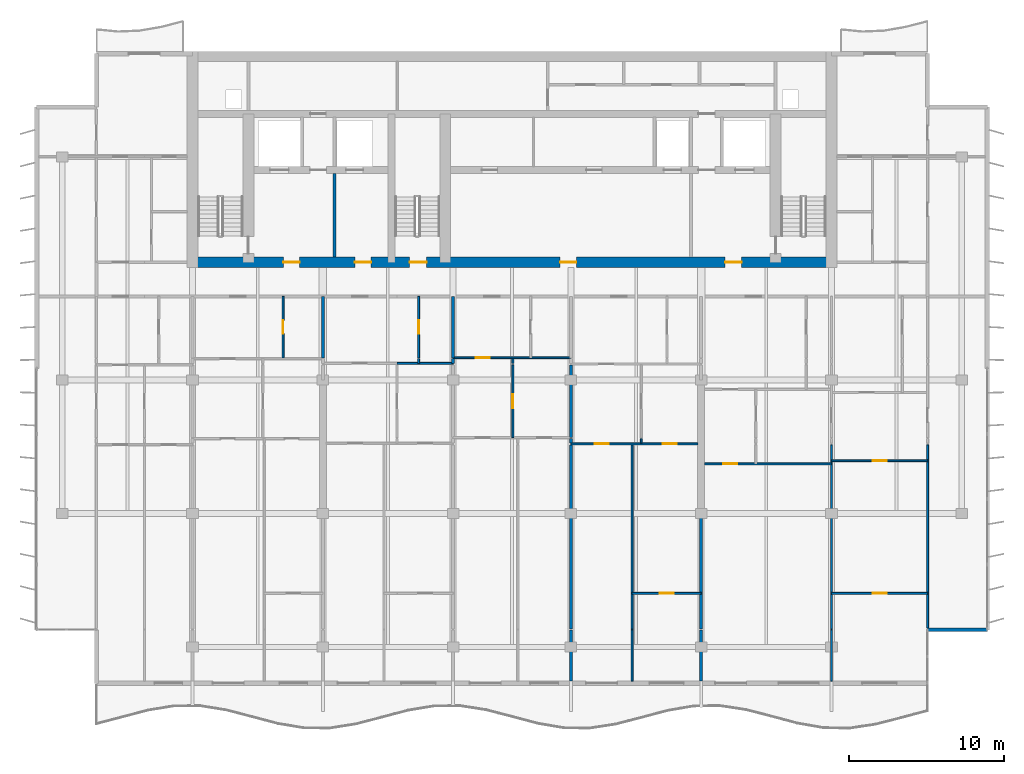
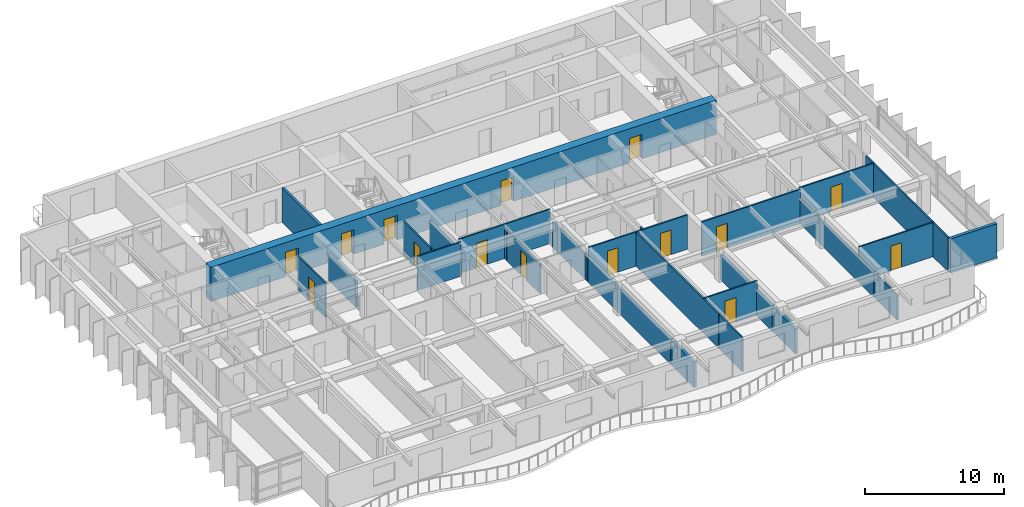
# One storey, part 8 of 16: 30 walls, 15 doors, 15 openings.
"""IFC4 building model written with IfcOpenShell, lengths in metres."""

from ifc_helpers import new_model, si_unit, direction, frame, frame_2d, origin, place, context, subcontext, project, spatial, rectangle, extrude, material, layer, layer_set, type_object, element, fill, save


model = new_model("IFC4")

# Units and contexts
model_context = context("Model", 3, precision=1e-05, world=origin(), true_north=direction((0.0, 1.0)))
body_context = subcontext(model_context, "Body", "Model", "MODEL_VIEW")
ifc_project = project(units=[si_unit("LENGTHUNIT", "METRE"), si_unit("AREAUNIT", "SQUARE_METRE"), si_unit("VOLUMEUNIT", "CUBIC_METRE"), si_unit("PLANEANGLEUNIT", "RADIAN"), si_unit("MASSUNIT", "GRAM", prefix="KILO")], contexts=[model_context])

# Site, building, storey
site_placement = place(None, origin())
site = spatial("IfcSite", under=ifc_project, at=site_placement, CompositionType="ELEMENT")
building_placement = place(site_placement, origin())
building = spatial("IfcBuilding", under=site, at=building_placement, Name="Caelmar Bay Residences", CompositionType="ELEMENT")
storey_placement = place(building_placement, frame((0.0, 0.0, 266.10009765625)))
storey = spatial("IfcBuildingStorey", under=building, at=storey_placement, Name="L75", CompositionType="ELEMENT", Elevation=266.10009765625)

# Wall, openings, doors
ifc_material_1 = material(Name="Concrete f'c 55 MPa (8,000 psi)", Category="concrete")
ifc_layer_1 = layer(ifc_material_1, 0.699951171875)
ifc_layer_set_1 = layer_set([ifc_layer_1], Name="Concrete f'c 55 MPa (8,000 psi)")
wall_type_1 = type_object("IfcWallType", Name="SW-COR-700", PredefinedType="SHEAR", material=ifc_layer_set_1)
wall_1_placement = place(storey_placement, frame((17.949951171875, 37.0, 0.0), z_axis=(0.0, 0.0, 1.0), x_axis=(1.0, 0.0, 0.0)))
wall_1 = element("IfcWall", 1, at=wall_1_placement, inside=storey, type_object=wall_type_1, Name="L75 Rear Core South Shear Wall", PredefinedType="SHEAR", context=body_context, shape_type="SweptSolid", body=[
    extrude(rectangle(XDim=41.900146484375, YDim=0.699951171875, at=frame_2d((20.9501953125, 0.0))), origin(), (0.0, 0.0, 1.0), 3.0),
])
opening_1_placement = place(wall_1_placement, frame((14.35009765625, 0.0, 0.0)))
opening_1 = element("IfcOpeningElement", 2, at=opening_1_placement, cuts=wall_1, Name="Opening D-L75-105", PredefinedType="OPENING", context=body_context, shape_type="SweptSolid", body=[
    extrude(rectangle(XDim=1.10009765625, YDim=2.14990234375, at=frame_2d((0.550048828125, 1.074951171875))), frame((0.0, 0.35986328125, 0.0), z_axis=(0.0, -1.0, 0.0), x_axis=(1.0, 0.0, 0.0)), (0.0, 0.0, 1.0), 0.719970703125),
])
opening_2_placement = place(wall_1_placement, frame((6.199951171875, 0.0, 0.0)))
opening_2 = element("IfcOpeningElement", 3, at=opening_2_placement, cuts=wall_1, Name="Opening D-L75-106", PredefinedType="OPENING", context=body_context, shape_type="SweptSolid", body=[
    extrude(rectangle(XDim=1.050048828125, YDim=2.14990234375, at=frame_2d((0.52490234375, 1.074951171875))), frame((0.0, 0.35986328125, 0.0), z_axis=(0.0, -1.0, 0.0), x_axis=(1.0, 0.0, 0.0)), (0.0, 0.0, 1.0), 0.719970703125),
])
opening_3_placement = place(wall_1_placement, frame((34.699951171875, 0.0, 0.0)))
opening_3 = element("IfcOpeningElement", 4, at=opening_3_placement, cuts=wall_1, Name="Opening D-L75-109", PredefinedType="OPENING", context=body_context, shape_type="SweptSolid", body=[
    extrude(rectangle(XDim=1.050048828125, YDim=2.14990234375, at=frame_2d((0.52490234375, 1.074951171875))), frame((0.0, 0.35986328125, 0.0), z_axis=(0.0, -1.0, 0.0), x_axis=(1.0, 0.0, 0.0)), (0.0, 0.0, 1.0), 0.719970703125),
])
opening_4_placement = place(wall_1_placement, frame((10.8125, 0.0, 0.0)))
opening_4 = element("IfcOpeningElement", 5, at=opening_4_placement, cuts=wall_1, Name="Opening D-L75-112", PredefinedType="OPENING", context=body_context, shape_type="SweptSolid", body=[
    extrude(rectangle(XDim=1.050048828125, YDim=2.14990234375, at=frame_2d((0.52490234375, 1.074951171875))), frame((0.0, 0.35986328125, 0.0), z_axis=(0.0, -1.0, 0.0), x_axis=(1.0, 0.0, 0.0)), (0.0, 0.0, 1.0), 0.719970703125),
])
opening_5_placement = place(wall_1_placement, frame((24.050048828125, 0.0, 0.0)))
opening_5 = element("IfcOpeningElement", 6, at=opening_5_placement, cuts=wall_1, Name="Opening D-L75-113", PredefinedType="OPENING", context=body_context, shape_type="SweptSolid", body=[
    extrude(rectangle(XDim=1.050048828125, YDim=2.14990234375, at=frame_2d((0.52490234375, 1.074951171875))), frame((0.0, 0.35986328125, 0.0), z_axis=(0.0, -1.0, 0.0), x_axis=(1.0, 0.0, 0.0)), (0.0, 0.0, 1.0), 0.719970703125),
])
ifc_material_2 = material(Name="Fire-rated steel and walnut architectural door assembly", Category="steel")
ifc_layer_2 = layer(ifc_material_2, 0.050048828125)
ifc_layer_set_2 = layer_set([ifc_layer_2], Name="Fire-rated steel and walnut architectural door assembly")
door_type_1 = type_object("IfcDoorType", Name="D-FSAE-1050", OperationType="NOTDEFINED", PredefinedType="DOOR", material=ifc_layer_set_2)
door_1_placement = place(opening_2_placement, origin())
door_1 = element("IfcDoor", 7, at=door_1_placement, inside=storey, type_object=door_type_1, Name="L75 Firefighting Lobby West Door", OperationType="SINGLE_SWING_RIGHT", OverallHeight=2.14990234375, OverallWidth=1.050048828125, PredefinedType="DOOR", context=body_context, shape_type="SweptSolid", body=[
    extrude(rectangle(XDim=1.050048828125, YDim=2.14990234375, at=frame_2d((0.52490234375, 1.074951171875))), frame((0.0, 0.02490234375, 0.0), z_axis=(0.0, -1.0, 0.0), x_axis=(1.0, 0.0, 0.0)), (0.0, 0.0, 1.0), 0.050048828125),
])
fill(opening_2, door_1)
door_2_placement = place(opening_3_placement, origin())
door_2 = element("IfcDoor", 8, at=door_2_placement, inside=storey, type_object=door_type_1, Name="L75 Firefighting Lobby East Door", OperationType="SINGLE_SWING_LEFT", OverallHeight=2.14990234375, OverallWidth=1.050048828125, PredefinedType="DOOR", context=body_context, shape_type="SweptSolid", body=[
    extrude(rectangle(XDim=1.050048828125, YDim=2.14990234375, at=frame_2d((0.52490234375, 1.074951171875))), frame((0.0, 0.02490234375, 0.0), z_axis=(0.0, -1.0, 0.0), x_axis=(1.0, 0.0, 0.0)), (0.0, 0.0, 1.0), 0.050048828125),
])
fill(opening_3, door_2)
door_3_placement = place(opening_4_placement, origin())
door_3 = element("IfcDoor", 9, at=door_3_placement, inside=storey, type_object=door_type_1, Name="L75 West Lift Lobby Door", OperationType="SINGLE_SWING_RIGHT", OverallHeight=2.14990234375, OverallWidth=1.050048828125, PredefinedType="DOOR", context=body_context, shape_type="SweptSolid", body=[
    extrude(rectangle(XDim=1.050048828125, YDim=2.14990234375, at=frame_2d((0.52490234375, 1.074951171875))), frame((0.0, 0.02490234375, 0.0), z_axis=(0.0, -1.0, 0.0), x_axis=(1.0, 0.0, 0.0)), (0.0, 0.0, 1.0), 0.050048828125),
])
fill(opening_4, door_3)
door_4_placement = place(opening_5_placement, origin())
door_4 = element("IfcDoor", 10, at=door_4_placement, inside=storey, type_object=door_type_1, Name="L75 Passenger Lift Lobby Door", OperationType="SINGLE_SWING_LEFT", OverallHeight=2.14990234375, OverallWidth=1.050048828125, PredefinedType="DOOR", context=body_context, shape_type="SweptSolid", body=[
    extrude(rectangle(XDim=1.050048828125, YDim=2.14990234375, at=frame_2d((0.52490234375, 1.074951171875))), frame((0.0, 0.02490234375, 0.0), z_axis=(0.0, -1.0, 0.0), x_axis=(1.0, 0.0, 0.0)), (0.0, 0.0, 1.0), 0.050048828125),
])
fill(opening_5, door_4)
ifc_layer_3 = layer(ifc_material_2, 0.050048828125)
ifc_layer_set_3 = layer_set([ifc_layer_3], Name="Fire-rated steel and walnut architectural door assembly")
door_type_2 = type_object("IfcDoorType", Name="D-STAIR-1100", OperationType="NOTDEFINED", PredefinedType="DOOR", material=ifc_layer_set_3)
door_5_placement = place(opening_1_placement, origin())
door_5 = element("IfcDoor", 11, at=door_5_placement, inside=storey, type_object=door_type_2, Name="L75 Exit Stair ST3 Door", OperationType="SINGLE_SWING_LEFT", OverallHeight=2.14990234375, OverallWidth=1.10009765625, PredefinedType="DOOR", context=body_context, shape_type="SweptSolid", body=[
    extrude(rectangle(XDim=1.10009765625, YDim=2.14990234375, at=frame_2d((0.550048828125, 1.074951171875))), frame((0.0, 0.02490234375, 0.0), z_axis=(0.0, -1.0, 0.0), x_axis=(1.0, 0.0, 0.0)), (0.0, 0.0, 1.0), 0.050048828125),
])
fill(opening_1, door_5)

# Walls
ifc_material_3 = material(Name="Precast concrete f'c 40 MPa (6,000 psi)", Category="concrete")
ifc_layer_4 = layer(ifc_material_3, 0.25)
ifc_layer_set_4 = layer_set([ifc_layer_4], Name="Precast concrete f'c 40 MPa (6,000 psi)")
wall_type_2 = type_object("IfcWallType", Name="W-EXT-250", PredefinedType="ELEMENTEDWALL", material=ifc_layer_set_4)
wall_2_placement = place(storey_placement, frame((65.699951171875, 13.300048828125, 0.0), z_axis=(0.0, 0.0, 1.0), x_axis=(1.0, 0.0, 0.0)))
element("IfcWall", 12, at=wall_2_placement, inside=storey, type_object=wall_type_2, Name="L75 SE Notch Return Wall", PredefinedType="ELEMENTEDWALL", context=body_context, shape_type="SweptSolid", body=[
    extrude(rectangle(XDim=3.85009765625, YDim=0.25, at=frame_2d((1.925048828125, 0.0))), origin(), (0.0, 0.0, 1.0), 3.0),
])
ifc_material_4 = material(Name="Fire-rated masonry and gypsum shaftliner assembly 200 mm", Category="masonry")
ifc_layer_5 = layer(ifc_material_4, 0.199951171875)
ifc_layer_set_5 = layer_set([ifc_layer_5], Name="Fire-rated masonry and gypsum shaftliner assembly 200 mm")
wall_type_3 = type_object("IfcWallType", Name="W-FSAE-200", PredefinedType="PARTITIONING", material=ifc_layer_set_5)
wall_3_placement = place(storey_placement, frame((27.449951171875, 37.344970703125, 0.0), z_axis=(0.0, 0.0, 1.0), x_axis=(0.0, 1.0, 0.0)))
element("IfcWall", 13, at=wall_3_placement, inside=storey, type_object=wall_type_3, Name="L75 Partition Wall V034", PredefinedType="PARTITIONING", context=body_context, shape_type="SweptSolid", body=[
    extrude(rectangle(XDim=5.385009765625, YDim=0.199951171875, at=frame_2d((2.6923828125, 0.0))), origin(), (0.0, 0.0, 1.0), 3.0),
])

# Wall, opening, door
ifc_material_5 = material(Name="Acoustic metal-stud gypsum partition 120 mm")
ifc_layer_6 = layer(ifc_material_5, 0.1201171875)
ifc_layer_set_6 = layer_set([ifc_layer_6], Name="Acoustic metal-stud gypsum partition 120 mm")
wall_type_4 = type_object("IfcWallType", Name="W-PRT-120", PredefinedType="PARTITIONING", material=ifc_layer_set_6)
wall_4_placement = place(storey_placement, frame((24.137939453125, 30.840087890625, 0.0), z_axis=(0.0, 0.0, 1.0), x_axis=(0.0, 1.0, 0.0)))
wall_4 = element("IfcWall", 14, at=wall_4_placement, inside=storey, type_object=wall_type_4, Name="L75 Partition Wall V027", PredefinedType="PARTITIONING", context=body_context, shape_type="SweptSolid", body=[
    extrude(rectangle(XDim=3.9599609375, YDim=0.1201171875, at=frame_2d((1.97998046875, 0.0))), origin(), (0.0, 0.0, 1.0), 3.0),
])
opening_6_placement = place(wall_4_placement, frame((1.554931640625, 0.0, 0.0)))
opening_6 = element("IfcOpeningElement", 15, at=opening_6_placement, cuts=wall_4, Name="Opening D-L75-129", PredefinedType="OPENING", context=body_context, shape_type="SweptSolid", body=[
    extrude(rectangle(XDim=0.85009765625, YDim=2.10009765625, at=frame_2d((0.425048828125, 1.050048828125))), frame((0.0, 0.070068359375, 0.0), z_axis=(0.0, -1.0, 0.0), x_axis=(1.0, 0.0, 0.0)), (0.0, 0.0, 1.0), 0.14013671875),
])
ifc_material_6 = material(Name="Solid walnut timber interior door leaf and frame", Category="wood")
ifc_layer_7 = layer(ifc_material_6, 0.050048828125)
ifc_layer_set_7 = layer_set([ifc_layer_7], Name="Solid walnut timber interior door leaf and frame")
door_type_3 = type_object("IfcDoorType", Name="D-BATH-850", OperationType="NOTDEFINED", PredefinedType="DOOR", material=ifc_layer_set_7)
door_6_placement = place(opening_6_placement, origin())
door_6 = element("IfcDoor", 16, at=door_6_placement, inside=storey, type_object=door_type_3, Name="L75 Residence 02 Bathroom Door", OperationType="SINGLE_SWING_LEFT", OverallHeight=2.10009765625, OverallWidth=0.85009765625, PredefinedType="DOOR", context=body_context, shape_type="SweptSolid", body=[
    extrude(rectangle(XDim=0.85009765625, YDim=2.10009765625, at=frame_2d((0.425048828125, 1.050048828125))), frame((0.0, 0.02490234375, 0.0), z_axis=(0.0, -1.0, 0.0), x_axis=(1.0, 0.0, 0.0)), (0.0, 0.0, 1.0), 0.050048828125),
])
fill(opening_6, door_6)

# Wall
wall_5_placement = place(storey_placement, frame((32.8779296875, 30.47998046875, 0.0), z_axis=(0.0, 0.0, 1.0), x_axis=(0.0, 1.0, 0.0)))
element("IfcWall", 17, at=wall_5_placement, inside=storey, type_object=wall_type_4, Name="L75 Partition Wall V041", PredefinedType="PARTITIONING", context=body_context, shape_type="SweptSolid", body=[
    extrude(rectangle(XDim=0.300048828125, YDim=0.1201171875, at=frame_2d((0.14990234375, 0.0))), origin(), (0.0, 0.0, 1.0), 3.0),
])

# Wall, opening, door
wall_6_placement = place(storey_placement, frame((32.8779296875, 30.840087890625, 0.0), z_axis=(0.0, 0.0, 1.0), x_axis=(0.0, 1.0, 0.0)))
wall_6 = element("IfcWall", 18, at=wall_6_placement, inside=storey, type_object=wall_type_4, Name="L75 Partition Wall V042", PredefinedType="PARTITIONING", context=body_context, shape_type="SweptSolid", body=[
    extrude(rectangle(XDim=3.9599609375, YDim=0.1201171875, at=frame_2d((1.97998046875, 0.0))), origin(), (0.0, 0.0, 1.0), 3.0),
])
opening_7_placement = place(wall_6_placement, frame((1.554931640625, 0.0, 0.0)))
opening_7 = element("IfcOpeningElement", 19, at=opening_7_placement, cuts=wall_6, Name="Opening D-L75-136", PredefinedType="OPENING", context=body_context, shape_type="SweptSolid", body=[
    extrude(rectangle(XDim=0.85009765625, YDim=2.10009765625, at=frame_2d((0.425048828125, 1.050048828125))), frame((0.0, 0.070068359375, 0.0), z_axis=(0.0, -1.0, 0.0), x_axis=(1.0, 0.0, 0.0)), (0.0, 0.0, 1.0), 0.14013671875),
])
door_7_placement = place(opening_7_placement, origin())
door_7 = element("IfcDoor", 20, at=door_7_placement, inside=storey, type_object=door_type_3, Name="L75 Residence 03 Bathroom Door", OperationType="SINGLE_SWING_RIGHT", OverallHeight=2.10009765625, OverallWidth=0.85009765625, PredefinedType="DOOR", context=body_context, shape_type="SweptSolid", body=[
    extrude(rectangle(XDim=0.85009765625, YDim=2.10009765625, at=frame_2d((0.425048828125, 1.050048828125))), frame((0.0, 0.02490234375, 0.0), z_axis=(0.0, -1.0, 0.0), x_axis=(1.0, 0.0, 0.0)), (0.0, 0.0, 1.0), 0.050048828125),
])
fill(opening_7, door_7)

wall_7_placement = place(storey_placement, frame((38.9541015625, 25.68994140625, 0.0), z_axis=(0.0, 0.0, 1.0), x_axis=(0.0, 1.0, 0.0)))
wall_7 = element("IfcWall", 21, at=wall_7_placement, inside=storey, type_object=wall_type_4, Name="L75 Partition Wall V049", PredefinedType="PARTITIONING", context=body_context, shape_type="SweptSolid", body=[
    extrude(rectangle(XDim=4.68994140625, YDim=0.1201171875, at=frame_2d((2.344970703125, 0.0))), origin(), (0.0, 0.0, 1.0), 2.578857421875),
])
opening_8_placement = place(wall_7_placement, frame((1.89501953125, 0.0, 0.0)))
opening_8 = element("IfcOpeningElement", 22, at=opening_8_placement, cuts=wall_7, Name="Opening D-L75-145", PredefinedType="OPENING", context=body_context, shape_type="SweptSolid", body=[
    extrude(rectangle(XDim=0.89990234375, YDim=2.14990234375, at=frame_2d((0.449951171875, 1.074951171875))), frame((0.0, 0.070068359375, 0.0), z_axis=(0.0, -1.0, 0.0), x_axis=(1.0, 0.0, 0.0)), (0.0, 0.0, 1.0), 0.14013671875),
])
ifc_layer_8 = layer(ifc_material_6, 0.050048828125)
ifc_layer_set_8 = layer_set([ifc_layer_8], Name="Solid walnut timber interior door leaf and frame")
door_type_4 = type_object("IfcDoorType", Name="D-ROOM-900", OperationType="NOTDEFINED", PredefinedType="DOOR", material=ifc_layer_set_8)
door_8_placement = place(opening_8_placement, origin())
door_8 = element("IfcDoor", 23, at=door_8_placement, inside=storey, type_object=door_type_4, Name="L75 Residence 04 Private Reception Salon Door", OperationType="SINGLE_SWING_LEFT", OverallHeight=2.14990234375, OverallWidth=0.89990234375, PredefinedType="DOOR", context=body_context, shape_type="SweptSolid", body=[
    extrude(rectangle(XDim=0.89990234375, YDim=2.14990234375, at=frame_2d((0.449951171875, 1.074951171875))), frame((0.0, 0.02490234375, 0.0), z_axis=(0.0, -1.0, 0.0), x_axis=(1.0, 0.0, 0.0)), (0.0, 0.0, 1.0), 0.050048828125),
])
fill(opening_8, door_8)

# Walls
wall_8_placement = place(storey_placement, frame((38.9541015625, 30.47998046875, 0.0), z_axis=(0.0, 0.0, 1.0), x_axis=(0.0, 1.0, 0.0)))
element("IfcWall", 24, at=wall_8_placement, inside=storey, type_object=wall_type_4, Name="L75 Partition Wall V050", PredefinedType="PARTITIONING", context=body_context, shape_type="SweptSolid", body=[
    extrude(rectangle(XDim=0.300048828125, YDim=0.1201171875, at=frame_2d((0.14990234375, 0.0))), origin(), (0.0, 0.0, 1.0), 2.6748046875),
])
wall_9_placement = place(storey_placement, frame((46.64794921875, 9.9951171875, 0.0), z_axis=(0.0, 0.0, 1.0), x_axis=(0.0, 1.0, 0.0)))
element("IfcWall", 25, at=wall_9_placement, inside=storey, type_object=wall_type_4, Name="L75 Partition Wall V064", PredefinedType="PARTITIONING", context=body_context, shape_type="SweptSolid", body=[
    extrude(rectangle(XDim=3.304931640625, YDim=0.1201171875, at=frame_2d((1.65234375, 0.0))), origin(), (0.0, 0.0, 1.0), 3.0),
])
wall_10_placement = place(storey_placement, frame((46.64794921875, 13.340087890625, 0.0), z_axis=(0.0, 0.0, 1.0), x_axis=(0.0, 1.0, 0.0)))
element("IfcWall", 26, at=wall_10_placement, inside=storey, type_object=wall_type_4, Name="L75 Partition Wall V065", PredefinedType="PARTITIONING", context=body_context, shape_type="SweptSolid", body=[
    extrude(rectangle(XDim=11.889892578125, YDim=0.1201171875, at=frame_2d((5.94482421875, 0.0))), origin(), (0.0, 0.0, 1.0), 3.0),
])
wall_11_placement = place(storey_placement, frame((47.236083984375, 25.330078125, 0.0), z_axis=(0.0, 0.0, 1.0), x_axis=(0.0, 1.0, 0.0)))
element("IfcWall", 27, at=wall_11_placement, inside=storey, type_object=wall_type_4, Name="L75 Partition Wall V066", PredefinedType="PARTITIONING", context=body_context, shape_type="SweptSolid", body=[
    extrude(rectangle(XDim=0.2998046875, YDim=0.1201171875, at=frame_2d((0.14990234375, 0.0))), origin(), (0.0, 0.0, 1.0), 3.0),
])
wall_12_placement = place(storey_placement, frame((59.5, 9.9951171875, 0.0), z_axis=(0.0, 0.0, 1.0), x_axis=(0.0, 1.0, 0.0)))
element("IfcWall", 28, at=wall_12_placement, inside=storey, type_object=wall_type_4, Name="L75 Partition Wall V087", PredefinedType="PARTITIONING", context=body_context, shape_type="SweptSolid", body=[
    extrude(rectangle(XDim=3.304931640625, YDim=0.1201171875, at=frame_2d((1.65234375, 0.0))), origin(), (0.0, 0.0, 1.0), 2.212890625),
])
wall_13_placement = place(storey_placement, frame((59.5, 13.340087890625, 0.0), z_axis=(0.0, 0.0, 1.0), x_axis=(0.0, 1.0, 0.0)))
element("IfcWall", 29, at=wall_13_placement, inside=storey, type_object=wall_type_4, Name="L75 Partition Wall V088", PredefinedType="PARTITIONING", context=body_context, shape_type="SweptSolid", body=[
    extrude(rectangle(XDim=11.889892578125, YDim=0.1201171875, at=frame_2d((5.94482421875, 0.0))), origin(), (0.0, 0.0, 1.0), 2.212890625),
])
wall_14_placement = place(storey_placement, frame((65.699951171875, 13.419921875, 0.0), z_axis=(0.0, 0.0, 1.0), x_axis=(0.0, 1.0, 0.0)))
element("IfcWall", 30, at=wall_14_placement, inside=storey, type_object=wall_type_4, Name="L75 Partition Wall V097", PredefinedType="PARTITIONING", context=body_context, shape_type="SweptSolid", body=[
    extrude(rectangle(XDim=11.81005859375, YDim=0.1201171875, at=frame_2d((5.905029296875, 0.0))), origin(), (0.0, 0.0, 1.0), 3.0),
])

# Wall, opening, door
wall_15_placement = place(storey_placement, frame((46.64794921875, 15.64990234375, 0.0), z_axis=(0.0, 0.0, 1.0), x_axis=(1.0, 0.0, 0.0)))
wall_15 = element("IfcWall", 31, at=wall_15_placement, inside=storey, type_object=wall_type_4, Name="L75 Partition Wall H107", PredefinedType="PARTITIONING", context=body_context, shape_type="SweptSolid", body=[
    extrude(rectangle(XDim=4.4521484375, YDim=0.1201171875, at=frame_2d((2.22607421875, 0.0))), origin(), (0.0, 0.0, 1.0), 3.0),
])
opening_9_placement = place(wall_15_placement, frame((1.77587890625, 0.0, 0.0)))
opening_9 = element("IfcOpeningElement", 32, at=opening_9_placement, cuts=wall_15, Name="Opening D-L75-154", PredefinedType="OPENING", context=body_context, shape_type="SweptSolid", body=[
    extrude(rectangle(XDim=0.89990234375, YDim=2.14990234375, at=frame_2d((0.449951171875, 1.074951171875))), frame((0.0, 0.070068359375, 0.0), z_axis=(0.0, -1.0, 0.0), x_axis=(1.0, 0.0, 0.0)), (0.0, 0.0, 1.0), 0.14013671875),
])
door_9_placement = place(opening_9_placement, origin())
door_9 = element("IfcDoor", 33, at=door_9_placement, inside=storey, type_object=door_type_4, Name="L75 Residence 05 Primary Bedroom Door", OperationType="SINGLE_SWING_RIGHT", OverallHeight=2.14990234375, OverallWidth=0.89990234375, PredefinedType="DOOR", context=body_context, shape_type="SweptSolid", body=[
    extrude(rectangle(XDim=0.89990234375, YDim=2.14990234375, at=frame_2d((0.449951171875, 1.074951171875))), frame((0.0, 0.02490234375, 0.0), z_axis=(0.0, -1.0, 0.0), x_axis=(1.0, 0.0, 0.0)), (0.0, 0.0, 1.0), 0.050048828125),
])
fill(opening_9, door_9)

wall_16_placement = place(storey_placement, frame((59.5, 15.64990234375, 0.0), z_axis=(0.0, 0.0, 1.0), x_axis=(1.0, 0.0, 0.0)))
wall_16 = element("IfcWall", 34, at=wall_16_placement, inside=storey, type_object=wall_type_4, Name="L75 Partition Wall H108", PredefinedType="PARTITIONING", context=body_context, shape_type="SweptSolid", body=[
    extrude(rectangle(XDim=6.199951171875, YDim=0.1201171875, at=frame_2d((3.10009765625, 0.0))), origin(), (0.0, 0.0, 1.0), 3.0),
])
opening_10_placement = place(wall_16_placement, frame((2.64990234375, 0.0, 0.0)))
opening_10 = element("IfcOpeningElement", 35, at=opening_10_placement, cuts=wall_16, Name="Opening D-L75-164", PredefinedType="OPENING", context=body_context, shape_type="SweptSolid", body=[
    extrude(rectangle(XDim=0.89990234375, YDim=2.14990234375, at=frame_2d((0.449951171875, 1.074951171875))), frame((0.0, 0.070068359375, 0.0), z_axis=(0.0, -1.0, 0.0), x_axis=(1.0, 0.0, 0.0)), (0.0, 0.0, 1.0), 0.14013671875),
])
door_10_placement = place(opening_10_placement, origin())
door_10 = element("IfcDoor", 36, at=door_10_placement, inside=storey, type_object=door_type_4, Name="L75 Residence 06 Primary Bedroom 1 Door", OperationType="SINGLE_SWING_RIGHT", OverallHeight=2.14990234375, OverallWidth=0.89990234375, PredefinedType="DOOR", context=body_context, shape_type="SweptSolid", body=[
    extrude(rectangle(XDim=0.89990234375, YDim=2.14990234375, at=frame_2d((0.449951171875, 1.074951171875))), frame((0.0, 0.02490234375, 0.0), z_axis=(0.0, -1.0, 0.0), x_axis=(1.0, 0.0, 0.0)), (0.0, 0.0, 1.0), 0.050048828125),
])
fill(opening_10, door_10)

wall_17_placement = place(storey_placement, frame((51.320068359375, 24.0, 0.0), z_axis=(0.0, 0.0, 1.0), x_axis=(1.0, 0.0, 0.0)))
wall_17 = element("IfcWall", 37, at=wall_17_placement, inside=storey, type_object=wall_type_4, Name="L75 Partition Wall H109", PredefinedType="PARTITIONING", context=body_context, shape_type="SweptSolid", body=[
    extrude(rectangle(XDim=8.179931640625, YDim=0.1201171875, at=frame_2d((4.08984375, 0.0))), origin(), (0.0, 0.0, 1.0), 3.0),
])
opening_11_placement = place(wall_17_placement, frame((1.2041015625, 0.0, 0.0)))
opening_11 = element("IfcOpeningElement", 38, at=opening_11_placement, cuts=wall_17, Name="Opening D-L75-159", PredefinedType="OPENING", context=body_context, shape_type="SweptSolid", body=[
    extrude(rectangle(XDim=0.89990234375, YDim=2.14990234375, at=frame_2d((0.449951171875, 1.074951171875))), frame((0.0, 0.070068359375, 0.0), z_axis=(0.0, -1.0, 0.0), x_axis=(1.0, 0.0, 0.0)), (0.0, 0.0, 1.0), 0.14013671875),
])
door_11_placement = place(opening_11_placement, origin())
door_11 = element("IfcDoor", 39, at=door_11_placement, inside=storey, type_object=door_type_4, Name="L75 Residence 06 Penthouse Living Salon Door", OperationType="SINGLE_SWING_LEFT", OverallHeight=2.14990234375, OverallWidth=0.89990234375, PredefinedType="DOOR", context=body_context, shape_type="SweptSolid", body=[
    extrude(rectangle(XDim=0.89990234375, YDim=2.14990234375, at=frame_2d((0.449951171875, 1.074951171875))), frame((0.0, 0.02490234375, 0.0), z_axis=(0.0, -1.0, 0.0), x_axis=(1.0, 0.0, 0.0)), (0.0, 0.0, 1.0), 0.050048828125),
])
fill(opening_11, door_11)

wall_18_placement = place(storey_placement, frame((59.5048828125, 24.199951171875, 0.0), z_axis=(0.0, 0.0, 1.0), x_axis=(1.0, 0.0, 0.0)))
wall_18 = element("IfcWall", 40, at=wall_18_placement, inside=storey, type_object=wall_type_4, Name="L75 Partition Wall H110", PredefinedType="PARTITIONING", context=body_context, shape_type="SweptSolid", body=[
    extrude(rectangle(XDim=6.195068359375, YDim=0.1201171875, at=frame_2d((3.09765625, 0.0))), origin(), (0.0, 0.0, 1.0), 3.0),
])
opening_12_placement = place(wall_18_placement, frame((2.6474609375, 0.0, 0.0)))
opening_12 = element("IfcOpeningElement", 41, at=opening_12_placement, cuts=wall_18, Name="Opening D-L75-163", PredefinedType="OPENING", context=body_context, shape_type="SweptSolid", body=[
    extrude(rectangle(XDim=0.89990234375, YDim=2.14990234375, at=frame_2d((0.449951171875, 1.074951171875))), frame((0.0, 0.070068359375, 0.0), z_axis=(0.0, -1.0, 0.0), x_axis=(1.0, 0.0, 0.0)), (0.0, 0.0, 1.0), 0.14013671875),
])
door_12_placement = place(opening_12_placement, origin())
door_12 = element("IfcDoor", 42, at=door_12_placement, inside=storey, type_object=door_type_4, Name="L75 Residence 06 Penthouse Sitting Salon 1 Door", OperationType="SINGLE_SWING_LEFT", OverallHeight=2.14990234375, OverallWidth=0.89990234375, PredefinedType="DOOR", context=body_context, shape_type="SweptSolid", body=[
    extrude(rectangle(XDim=0.89990234375, YDim=2.14990234375, at=frame_2d((0.449951171875, 1.074951171875))), frame((0.0, 0.02490234375, 0.0), z_axis=(0.0, -1.0, 0.0), x_axis=(1.0, 0.0, 0.0)), (0.0, 0.0, 1.0), 0.050048828125),
])
fill(opening_12, door_12)

# Wall, openings, doors
wall_19_placement = place(storey_placement, frame((42.699951171875, 25.2900390625, 0.0), z_axis=(0.0, 0.0, 1.0), x_axis=(1.0, 0.0, 0.0)))
wall_19 = element("IfcWall", 43, at=wall_19_placement, inside=storey, type_object=wall_type_4, Name="L75 Partition Wall H113", PredefinedType="PARTITIONING", context=body_context, shape_type="SweptSolid", body=[
    extrude(rectangle(XDim=8.179931640625, YDim=0.1201171875, at=frame_2d((4.08984375, 0.0))), origin(), (0.0, 0.0, 1.0), 3.0),
])
opening_13_placement = place(wall_19_placement, frame((1.52392578125, 0.0, 0.0)))
opening_13 = element("IfcOpeningElement", 44, at=opening_13_placement, cuts=wall_19, Name="Opening D-L75-152", PredefinedType="OPENING", context=body_context, shape_type="SweptSolid", body=[
    extrude(rectangle(XDim=0.89990234375, YDim=2.14990234375, at=frame_2d((0.449951171875, 1.074951171875))), frame((0.0, 0.070068359375, 0.0), z_axis=(0.0, -1.0, 0.0), x_axis=(1.0, 0.0, 0.0)), (0.0, 0.0, 1.0), 0.14013671875),
])
opening_14_placement = place(wall_19_placement, frame((5.907958984375, 0.0, 0.0)))
opening_14 = element("IfcOpeningElement", 45, at=opening_14_placement, cuts=wall_19, Name="Opening D-L75-153", PredefinedType="OPENING", context=body_context, shape_type="SweptSolid", body=[
    extrude(rectangle(XDim=0.89990234375, YDim=2.14990234375, at=frame_2d((0.449951171875, 1.074951171875))), frame((0.0, 0.070068359375, 0.0), z_axis=(0.0, -1.0, 0.0), x_axis=(1.0, 0.0, 0.0)), (0.0, 0.0, 1.0), 0.14013671875),
])
door_13_placement = place(opening_13_placement, origin())
door_13 = element("IfcDoor", 46, at=door_13_placement, inside=storey, type_object=door_type_4, Name="L75 Residence 05 Living Room Door", OperationType="SINGLE_SWING_RIGHT", OverallHeight=2.14990234375, OverallWidth=0.89990234375, PredefinedType="DOOR", context=body_context, shape_type="SweptSolid", body=[
    extrude(rectangle(XDim=0.89990234375, YDim=2.14990234375, at=frame_2d((0.449951171875, 1.074951171875))), frame((0.0, 0.02490234375, 0.0), z_axis=(0.0, -1.0, 0.0), x_axis=(1.0, 0.0, 0.0)), (0.0, 0.0, 1.0), 0.050048828125),
])
fill(opening_13, door_13)
door_14_placement = place(opening_14_placement, origin())
door_14 = element("IfcDoor", 47, at=door_14_placement, inside=storey, type_object=door_type_4, Name="L75 Residence 05 Penthouse Sitting Room Door", OperationType="SINGLE_SWING_LEFT", OverallHeight=2.14990234375, OverallWidth=0.89990234375, PredefinedType="DOOR", context=body_context, shape_type="SweptSolid", body=[
    extrude(rectangle(XDim=0.89990234375, YDim=2.14990234375, at=frame_2d((0.449951171875, 1.074951171875))), frame((0.0, 0.02490234375, 0.0), z_axis=(0.0, -1.0, 0.0), x_axis=(1.0, 0.0, 0.0)), (0.0, 0.0, 1.0), 0.050048828125),
])
fill(opening_14, door_14)

# Wall
wall_20_placement = place(storey_placement, frame((31.5, 30.47998046875, 0.0), z_axis=(0.0, 0.0, 1.0), x_axis=(1.0, 0.0, 0.0)))
element("IfcWall", 48, at=wall_20_placement, inside=storey, type_object=wall_type_4, Name="L75 Partition Wall H124", PredefinedType="PARTITIONING", context=body_context, shape_type="SweptSolid", body=[
    extrude(rectangle(XDim=3.60009765625, YDim=0.1201171875, at=frame_2d((1.800048828125, 0.0))), origin(), (0.0, 0.0, 1.0), 3.0),
])

# Wall, opening, door
wall_21_placement = place(storey_placement, frame((35.10009765625, 30.840087890625, 0.0), z_axis=(0.0, 0.0, 1.0), x_axis=(1.0, 0.0, 0.0)))
wall_21 = element("IfcWall", 49, at=wall_21_placement, inside=storey, type_object=wall_type_4, Name="L75 Partition Wall H126", PredefinedType="PARTITIONING", context=body_context, shape_type="SweptSolid", body=[
    extrude(rectangle(XDim=7.599853515625, YDim=0.1201171875, at=frame_2d((3.7998046875, 0.0))), origin(), (0.0, 0.0, 1.0), 3.0),
])
opening_15_placement = place(wall_21_placement, frame((1.47705078125, 0.0, 0.0)))
opening_15 = element("IfcOpeningElement", 50, at=opening_15_placement, cuts=wall_21, Name="Opening D-L75-144", PredefinedType="OPENING", context=body_context, shape_type="SweptSolid", body=[
    extrude(rectangle(XDim=0.89990234375, YDim=2.14990234375, at=frame_2d((0.449951171875, 1.074951171875))), frame((0.0, 0.070068359375, 0.0), z_axis=(0.0, -1.0, 0.0), x_axis=(1.0, 0.0, 0.0)), (0.0, 0.0, 1.0), 0.14013671875),
])
door_15_placement = place(opening_15_placement, origin())
door_15 = element("IfcDoor", 51, at=door_15_placement, inside=storey, type_object=door_type_4, Name="L75 Residence 04 Kitchen Door", OperationType="SINGLE_SWING_RIGHT", OverallHeight=2.14990234375, OverallWidth=0.89990234375, PredefinedType="DOOR", context=body_context, shape_type="SweptSolid", body=[
    extrude(rectangle(XDim=0.89990234375, YDim=2.14990234375, at=frame_2d((0.449951171875, 1.074951171875))), frame((0.0, 0.02490234375, 0.0), z_axis=(0.0, -1.0, 0.0), x_axis=(1.0, 0.0, 0.0)), (0.0, 0.0, 1.0), 0.050048828125),
])
fill(opening_15, door_15)

# Walls
ifc_material_7 = material(Name="Acoustic twin-stud fire-rated inter-tenancy partition 200 mm")
ifc_layer_9 = layer(ifc_material_7, 0.199951171875)
ifc_layer_set_9 = layer_set([ifc_layer_9], Name="Acoustic twin-stud fire-rated inter-tenancy partition 200 mm")
wall_type_5 = type_object("IfcWallType", Name="W-PTY-200", PredefinedType="PARTITIONING", material=ifc_layer_set_9)
wall_22_placement = place(storey_placement, frame((26.699951171875, 30.840087890625, 0.0), z_axis=(0.0, 0.0, 1.0), x_axis=(0.0, 1.0, 0.0)))
element("IfcWall", 52, at=wall_22_placement, inside=storey, type_object=wall_type_5, Name="L75 Partition Wall V033", PredefinedType="PARTITIONING", context=body_context, shape_type="SweptSolid", body=[
    extrude(rectangle(XDim=3.9599609375, YDim=0.199951171875, at=frame_2d((1.97998046875, 0.0))), origin(), (0.0, 0.0, 1.0), 2.284912109375),
])
wall_23_placement = place(storey_placement, frame((35.10009765625, 30.47998046875, 0.0), z_axis=(0.0, 0.0, 1.0), x_axis=(0.0, 1.0, 0.0)))
element("IfcWall", 53, at=wall_23_placement, inside=storey, type_object=wall_type_5, Name="L75 Partition Wall V047", PredefinedType="PARTITIONING", context=body_context, shape_type="SweptSolid", body=[
    extrude(rectangle(XDim=0.300048828125, YDim=0.199951171875, at=frame_2d((0.14990234375, 0.0))), origin(), (0.0, 0.0, 1.0), 2.212890625),
])
wall_24_placement = place(storey_placement, frame((35.10009765625, 30.840087890625, 0.0), z_axis=(0.0, 0.0, 1.0), x_axis=(0.0, 1.0, 0.0)))
element("IfcWall", 54, at=wall_24_placement, inside=storey, type_object=wall_type_5, Name="L75 Partition Wall V048", PredefinedType="PARTITIONING", context=body_context, shape_type="SweptSolid", body=[
    extrude(rectangle(XDim=3.9599609375, YDim=0.199951171875, at=frame_2d((1.97998046875, 0.0))), origin(), (0.0, 0.0, 1.0), 2.212890625),
])
wall_25_placement = place(storey_placement, frame((42.699951171875, 9.9951171875, 0.0), z_axis=(0.0, 0.0, 1.0), x_axis=(0.0, 1.0, 0.0)))
element("IfcWall", 55, at=wall_25_placement, inside=storey, type_object=wall_type_5, Name="L75 Partition Wall V057", PredefinedType="PARTITIONING", context=body_context, shape_type="SweptSolid", body=[
    extrude(rectangle(XDim=3.304931640625, YDim=0.199951171875, at=frame_2d((1.65234375, 0.0))), origin(), (0.0, 0.0, 1.0), 2.212890625),
])
wall_26_placement = place(storey_placement, frame((42.699951171875, 13.340087890625, 0.0), z_axis=(0.0, 0.0, 1.0), x_axis=(0.0, 1.0, 0.0)))
element("IfcWall", 56, at=wall_26_placement, inside=storey, type_object=wall_type_5, Name="L75 Partition Wall V058", PredefinedType="PARTITIONING", context=body_context, shape_type="SweptSolid", body=[
    extrude(rectangle(XDim=11.889892578125, YDim=0.199951171875, at=frame_2d((5.94482421875, 0.0))), origin(), (0.0, 0.0, 1.0), 2.212890625),
])
wall_27_placement = place(storey_placement, frame((42.699951171875, 25.330078125, 0.0), z_axis=(0.0, 0.0, 1.0), x_axis=(0.0, 1.0, 0.0)))
element("IfcWall", 57, at=wall_27_placement, inside=storey, type_object=wall_type_5, Name="L75 Partition Wall V059", PredefinedType="PARTITIONING", context=body_context, shape_type="SweptSolid", body=[
    extrude(rectangle(XDim=0.2998046875, YDim=0.199951171875, at=frame_2d((0.14990234375, 0.0))), origin(), (0.0, 0.0, 1.0), 2.212890625),
])
wall_28_placement = place(storey_placement, frame((42.699951171875, 25.68994140625, 0.0), z_axis=(0.0, 0.0, 1.0), x_axis=(0.0, 1.0, 0.0)))
element("IfcWall", 58, at=wall_28_placement, inside=storey, type_object=wall_type_5, Name="L75 Partition Wall V060", PredefinedType="PARTITIONING", context=body_context, shape_type="SweptSolid", body=[
    extrude(rectangle(XDim=4.68994140625, YDim=0.199951171875, at=frame_2d((2.344970703125, 0.0))), origin(), (0.0, 0.0, 1.0), 2.212890625),
])
wall_29_placement = place(storey_placement, frame((51.10009765625, 9.9951171875, 0.0), z_axis=(0.0, 0.0, 1.0), x_axis=(0.0, 1.0, 0.0)))
element("IfcWall", 59, at=wall_29_placement, inside=storey, type_object=wall_type_5, Name="L75 Partition Wall V074", PredefinedType="PARTITIONING", context=body_context, shape_type="SweptSolid", body=[
    extrude(rectangle(XDim=3.304931640625, YDim=0.199951171875, at=frame_2d((1.65234375, 0.0))), origin(), (0.0, 0.0, 1.0), 2.212890625),
])
wall_30_placement = place(storey_placement, frame((51.10009765625, 13.340087890625, 0.0), z_axis=(0.0, 0.0, 1.0), x_axis=(0.0, 1.0, 0.0)))
element("IfcWall", 60, at=wall_30_placement, inside=storey, type_object=wall_type_5, Name="L75 Partition Wall V075", PredefinedType="PARTITIONING", context=body_context, shape_type="SweptSolid", body=[
    extrude(rectangle(XDim=7.454833984375, YDim=0.199951171875, at=frame_2d((3.7275390625, 0.0))), origin(), (0.0, 0.0, 1.0), 2.212890625),
])

save(model, "model.ifc")
